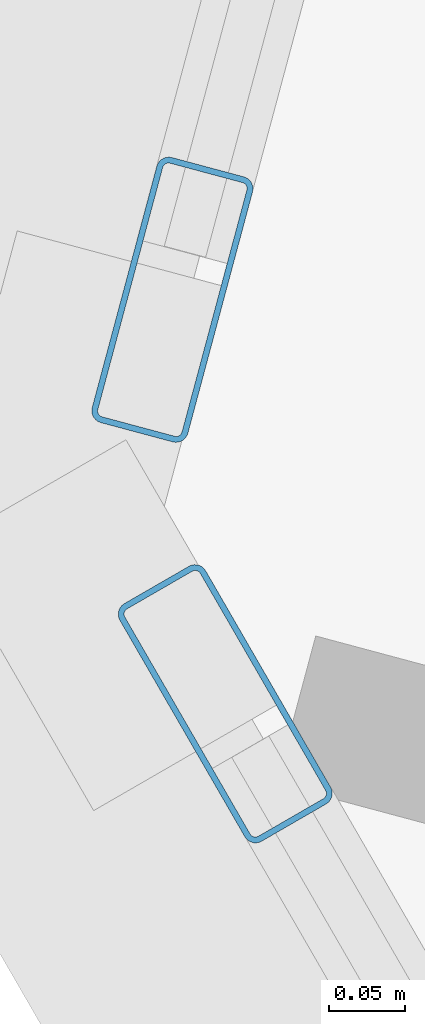
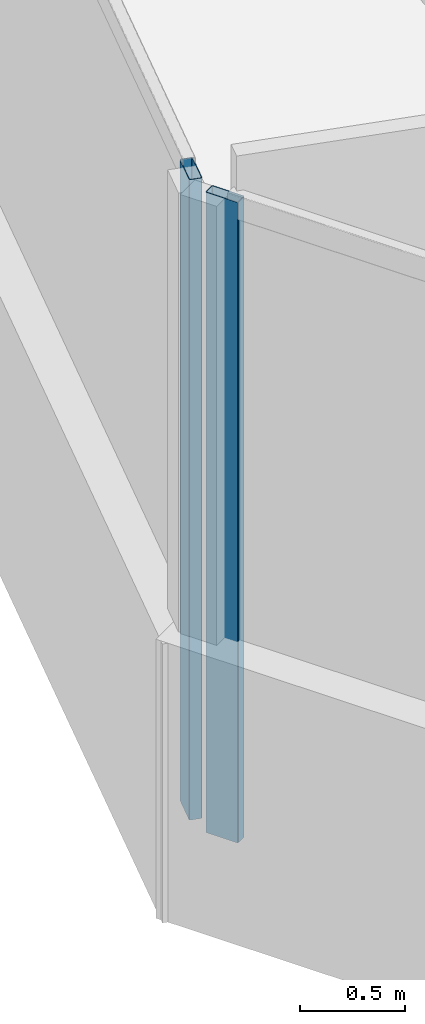
# One storey, part 3 of 27: 2 members, 2 elements without a shape of their own.
"""IFC4 building model written with IfcOpenShell, lengths in metres."""

import ifcopenshell
import ifcopenshell.guid

model = None  # the IFC model being written
_history = None  # IfcOwnerHistory: only IFC2X3 demands one
_inside = {}  # id of a spatial element -> (the spatial element, [elements in it])
_under = {}  # id of a project, library or spatial element -> (it, [spatial elements below it])
_declared = {}  # id of a project -> (the project, [libraries it declares])
_typed = {}  # id of a type object -> (the type object, [elements of that type])
_made_of = {}  # id of a material, layer set ... -> (it, [elements and type objects made of it])


def new_model(schema):
    """Start an empty IFC model of exactly this schema.

    Asked for "IFC4X3", IfcOpenShell would pick the latest addendum, in which some entities
    have other attributes; the version numbers below select the first issue.
    IFC2X3 requires an IfcOwnerHistory on every rooted entity: one is made here for all.
    """
    global model, _history
    if schema == "IFC4X3":
        model = ifcopenshell.file(schema_version=(4, 3, 0, 0))
    else:
        model = ifcopenshell.file(schema=schema)
    _inside.clear()
    _under.clear()
    _declared.clear()
    _typed.clear()
    _made_of.clear()
    _history = None
    if model.schema == "IFC2X3":
        org = make("IfcOrganization", Name="unknown")
        user = make(
            "IfcPersonAndOrganization",
            ThePerson=make("IfcPerson", FamilyName="unknown"),
            TheOrganization=org,
        )
        app = make(
            "IfcApplication",
            ApplicationDeveloper=org,
            Version="unknown",
            ApplicationFullName="unknown",
            ApplicationIdentifier="unknown",
        )
        _history = make(
            "IfcOwnerHistory",
            OwningUser=user,
            OwningApplication=app,
            ChangeAction="ADDED",
            CreationDate=0,
        )
    return model


def make(cls, **values):
    """One entity of the class cls with the attributes given. An attribute that is None is left unset."""
    return model.create_entity(
        cls, **{name: value for name, value in values.items() if value is not None}
    )


def rooted(cls, **values):
    """An entity with a GlobalId (a new one), such as an element, a storey or a relation."""
    return make(cls, GlobalId=ifcopenshell.guid.new(), OwnerHistory=_history, **values)


def si_unit(unit_type, name, prefix=None):
    """IfcSIUnit, for example si_unit("LENGTHUNIT", "METRE", prefix="MILLI")."""
    return make("IfcSIUnit", UnitType=unit_type, Prefix=prefix, Name=name)


def assignment(units):
    """IfcUnitAssignment: the units of a project."""
    return None if units is None else make("IfcUnitAssignment", Units=units)


def point(xyz):
    """IfcCartesianPoint."""
    return None if xyz is None else make("IfcCartesianPoint", Coordinates=xyz)


def direction(xyz):
    """IfcDirection."""
    return None if xyz is None else make("IfcDirection", DirectionRatios=xyz)


def frame(location, z_axis=None, x_axis=None):
    """IfcAxis2Placement3D, a coordinate frame: its origin and axes. An axis left out is left unset."""
    return make(
        "IfcAxis2Placement3D",
        Location=point(location),
        Axis=direction(z_axis),
        RefDirection=direction(x_axis),
    )


def frame_2d(location, x_axis=None):
    """IfcAxis2Placement2D, a coordinate frame in the plane: its origin and x axis."""
    return make(
        "IfcAxis2Placement2D", Location=point(location), RefDirection=direction(x_axis)
    )


def origin():
    """The frame at (0, 0, 0) with its axes left unset."""
    return frame((0.0, 0.0, 0.0))


def origin_2d():
    """The frame at (0, 0) in the plane with its x axis left unset."""
    return frame_2d((0.0, 0.0))


def place(relative_to, where):
    """IfcLocalPlacement: puts the frame where relative to a parent placement (None: the world)."""
    return make(
        "IfcLocalPlacement", PlacementRelTo=relative_to, RelativePlacement=where
    )


def context(
    kind, dimensions, precision=None, world=None, true_north=None, identifier=None
):
    """IfcGeometricRepresentationContext, for example the 3D "Model" context."""
    return make(
        "IfcGeometricRepresentationContext",
        ContextIdentifier=identifier,
        ContextType=kind,
        CoordinateSpaceDimension=dimensions,
        Precision=precision,
        WorldCoordinateSystem=world,
        TrueNorth=true_north,
    )


def subcontext(parent, identifier, kind, view, scale=None):
    """IfcGeometricRepresentationSubContext, for example "Body" below "Model"."""
    return make(
        "IfcGeometricRepresentationSubContext",
        ContextIdentifier=identifier,
        ContextType=kind,
        ParentContext=parent,
        TargetScale=scale,
        TargetView=view,
    )


def project(units=None, contexts=None):
    """IfcProject with its units and contexts."""
    return rooted(
        "IfcProject",
        Name="project",
        RepresentationContexts=contexts,
        UnitsInContext=assignment(units),
    )


def spatial(cls, under=None, at=None, **own):
    """A site, building, storey or space (cls), placed at a placement, below another one or the project."""
    s = rooted(cls, ObjectPlacement=at, **own)
    if under is not None:
        _under.setdefault(under.id(), (under, []))[1].append(s)
    return s


def profile(cls, at=None, kind="AREA", **sizes):
    """A parametric profile (cls). Its sizes go by their IFC names, for example OverallWidth=200.0."""
    return make(cls, ProfileType=kind, Position=at, **sizes)


def hollow_rectangle(**sizes):
    """IfcRectangleHollowProfileDef."""
    return profile("IfcRectangleHollowProfileDef", **sizes)


def extrude(swept, where, along, depth):
    """IfcExtrudedAreaSolid: the profile swept, set in the frame where, extruded along a direction by depth."""
    return make(
        "IfcExtrudedAreaSolid",
        SweptArea=swept,
        Position=where,
        ExtrudedDirection=direction(along),
        Depth=depth,
    )


def shape(context_of_items, identifier, shape_type, items):
    """IfcShapeRepresentation: the items that make up one representation, for example the "Body"."""
    return make(
        "IfcShapeRepresentation",
        ContextOfItems=context_of_items,
        RepresentationIdentifier=identifier,
        RepresentationType=shape_type,
        Items=items,
    )


def source(mapping_origin, context_of_items, identifier, shape_type, items):
    """IfcRepresentationMap: a shape defined once, which mapped items show again and again."""
    return make(
        "IfcRepresentationMap",
        MappingOrigin=mapping_origin,
        MappedRepresentation=shape(context_of_items, identifier, shape_type, items),
    )


def transform(
    local_origin,
    x_axis=None,
    y_axis=None,
    z_axis=None,
    scale=None,
    scale2=None,
    scale3=None,
    uniform=True,
):
    """IfcCartesianTransformationOperator3D, or its non-uniform kind. x_axis, y_axis, z_axis: its Axis1, 2, 3."""
    if uniform:
        return make(
            "IfcCartesianTransformationOperator3D",
            Axis1=direction(x_axis),
            Axis2=direction(y_axis),
            LocalOrigin=point(local_origin),
            Scale=scale,
            Axis3=direction(z_axis),
        )
    return make(
        "IfcCartesianTransformationOperator3DnonUniform",
        Axis1=direction(x_axis),
        Axis2=direction(y_axis),
        LocalOrigin=point(local_origin),
        Scale=scale,
        Axis3=direction(z_axis),
        Scale2=scale2,
        Scale3=scale3,
    )


def mapped(mapping_source, mapping_target):
    """IfcMappedItem: shows the shape of a source again, moved by a transform."""
    return make(
        "IfcMappedItem", MappingSource=mapping_source, MappingTarget=mapping_target
    )


def material(Name=None, Category=None):
    """IfcMaterial."""
    return make("IfcMaterial", Name=Name, Category=Category)


def material_profile(
    of_material, cross_section, Name=None, Category=None, Priority=None
):
    """IfcMaterialProfile: a cross section and its material."""
    return make(
        "IfcMaterialProfile",
        Name=Name,
        Material=of_material,
        Profile=cross_section,
        Priority=Priority,
        Category=Category,
    )


def profile_set(profiles, Name=None, composite=None):
    """IfcMaterialProfileSet."""
    return make(
        "IfcMaterialProfileSet",
        Name=Name,
        MaterialProfiles=profiles,
        CompositeProfile=composite,
    )


def made_of(thing, what):
    """Note that an element or type object is made of a material, layer set ...; save() writes the relation."""
    if what is not None:
        _made_of.setdefault(what.id(), (what, []))[1].append(thing)
    return thing


def type_object(cls, material=None, **own):
    """A type object (cls), such as IfcWallType, which elements share."""
    return made_of(rooted(cls, **own), material)


def element(
    cls,
    number,
    at=None,
    inside=None,
    cuts=None,
    type_object=None,
    material=None,
    context=None,
    identifier="Body",
    shape_type=None,
    held_by="IfcProductDefinitionShape",
    body=None,
    shapes=None,
    **own,
):
    """One element of the class cls, such as IfcWall. Its Tag is "e" and its number.

    at: its placement. inside: the storey or other place that contains it. cuts: it is an
    opening in that element (IfcRelVoidsElement). A single representation is given by context,
    identifier, shape_type and body (its items); several are given by shapes. held_by: the class
    of the entity that holds the representations. save() writes the other relations.
    """
    e = rooted(cls, Tag="e%d" % number, ObjectPlacement=at, **own)
    if body is not None:
        shapes = [shape(context, identifier, shape_type, body)]
    if shapes is not None:
        e.Representation = make(held_by, Representations=shapes)
    if inside is not None:
        _inside.setdefault(inside.id(), (inside, []))[1].append(e)
    if cuts is not None:
        rooted(
            "IfcRelVoidsElement", RelatingBuildingElement=cuts, RelatedOpeningElement=e
        )
    if type_object is not None:
        _typed.setdefault(type_object.id(), (type_object, []))[1].append(e)
    return made_of(e, material)


def aggregate(whole, parts):
    """IfcRelAggregates: a whole, such as a stair, and the parts it consists of."""
    return rooted("IfcRelAggregates", RelatingObject=whole, RelatedObjects=parts)


def save(model, path):
    """Write the relations noted so far, then the file.

    IfcRelAggregates (storeys below a building ...), IfcRelContainedInSpatialStructure (elements
    in a storey), IfcRelDefinesByType, IfcRelAssociatesMaterial and IfcRelDeclares: one each for
    every whole, place, type object, material and project.
    """
    for whole, parts in _under.values():
        aggregate(whole, parts)
    for where, things in _inside.values():
        rooted(
            "IfcRelContainedInSpatialStructure",
            RelatedElements=things,
            RelatingStructure=where,
        )
    for kind, things in _typed.values():
        rooted("IfcRelDefinesByType", RelatedObjects=things, RelatingType=kind)
    for what, things in _made_of.values():
        rooted("IfcRelAssociatesMaterial", RelatedObjects=things, RelatingMaterial=what)
    for by, libraries in _declared.values():
        rooted("IfcRelDeclares", RelatingContext=by, RelatedDefinitions=libraries)
    model.write(path)


model = new_model("IFC4")

# Units and contexts
model_context = context("Model", 3, precision=1e-05, world=origin(), true_north=direction((0.0, 1.0)))
body_context = subcontext(model_context, "Body", "Model", "MODEL_VIEW")
ifc_project = project(units=[si_unit("LENGTHUNIT", "METRE"), si_unit("AREAUNIT", "SQUARE_METRE"), si_unit("VOLUMEUNIT", "CUBIC_METRE"), si_unit("PLANEANGLEUNIT", "RADIAN"), si_unit("MASSUNIT", "GRAM", prefix="KILO")], contexts=[model_context])

# Site, building, storey
site_placement = place(None, origin())
site = spatial("IfcSite", under=ifc_project, at=site_placement, CompositionType="ELEMENT")
building_placement = place(site_placement, origin())
building = spatial("IfcBuilding", under=site, at=building_placement, Name="Torre Montelarca", CompositionType="ELEMENT")
storey_placement = place(building_placement, frame((0.0, 0.0, 108.39990234375)))
storey = spatial("IfcBuildingStorey", under=building, at=storey_placement, Name="L24", CompositionType="ELEMENT", Elevation=108.39990234375)

# Curtain wall, member
ifc_material_1 = material(Name="Insulated low-E laminated glass", Category="glass")
curtain_wall_type = type_object("IfcCurtainWallType", Name="CW-SYS-Z1", PredefinedType="USERDEFINED", material=ifc_material_1)
curtain_wall_1_placement = place(storey_placement, origin())
curtain_wall_1 = element("IfcCurtainWall", 1, at=curtain_wall_1_placement, inside=storey, type_object=curtain_wall_type, Name="L24 Curtain Wall Run CW-T3-L24-E10-B1", ObjectType="UNITISED GLAZING", PredefinedType="USERDEFINED")
ifc_material_2 = material(Name="Anodised aluminium AA 6063-T6", Category="aluminium")
ifc_material_profile = material_profile(ifc_material_2, hollow_rectangle(XDim=0.06494140625, YDim=0.179931640625, WallThickness=0.00390625, InnerFilletRadius=0.00390625, OuterFilletRadius=0.008056640625, at=origin_2d()), Name="ALU65X180X4", Category="aluminium")
ifc_profile_set = profile_set([ifc_material_profile], Name="Anodised aluminium AA 6063-T6")
member_type = type_object("IfcMemberType", Name="CWM-ALU180", PredefinedType="MULLION", material=ifc_profile_set)
shared_shape = source(origin(), body_context, "Body", "SweptSolid", [
    extrude(hollow_rectangle(XDim=0.06494140625, YDim=0.179931640625, WallThickness=0.00390625, InnerFilletRadius=0.00390625, OuterFilletRadius=0.008056640625, at=origin_2d()), origin(), (0.0, 0.0, 1.0), 3.72021484375),
])
member_1_placement = place(storey_placement, frame((-1.863525390625, 24.282470703125, 0.0), z_axis=(0.0, 0.0, 1.0), x_axis=(0.965926043153, -0.258818235755, 0.0)))
member_1 = element("IfcMember", 2, at=member_1_placement, type_object=member_type, Name="CW mullion 3", PredefinedType="MULLION", context=body_context, shape_type="MappedRepresentation", body=[
    mapped(shared_shape, transform((0.0, 0.0, 0.0), scale=1.0)),
])
aggregate(curtain_wall_1, [member_1])

curtain_wall_2_placement = place(storey_placement, origin())
curtain_wall_2 = element("IfcCurtainWall", 3, at=curtain_wall_2_placement, inside=storey, type_object=curtain_wall_type, Name="L24 Curtain Wall Run CW-T3-L24-E11-B1", ObjectType="UNITISED GLAZING", PredefinedType="USERDEFINED")
member_2_placement = place(storey_placement, frame((-1.828857421875, 24.017578125, 0.0), z_axis=(0.0, 0.0, 1.0), x_axis=(0.866024921148, 0.50000083595, 0.0)))
member_2 = element("IfcMember", 4, at=member_2_placement, type_object=member_type, Name="CW mullion 1", PredefinedType="MULLION", context=body_context, shape_type="MappedRepresentation", body=[
    mapped(shared_shape, transform((0.0, 0.0, 0.0), scale=1.0)),
])
aggregate(curtain_wall_2, [member_2])

save(model, "model.ifc")
